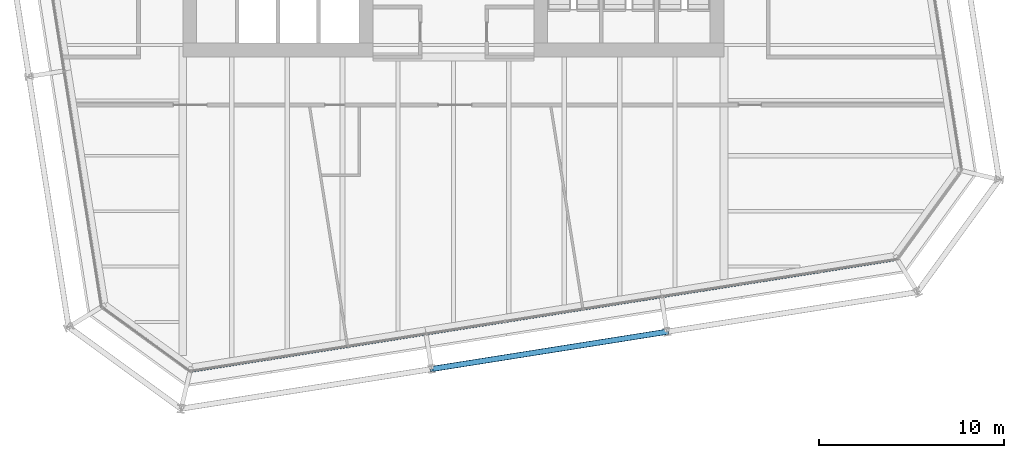
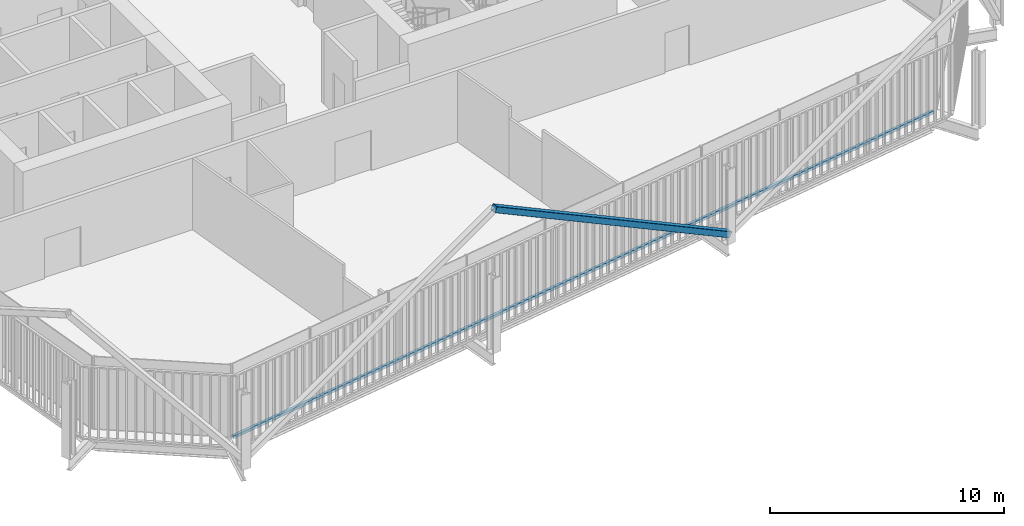
# One storey, part 7 of 22: 2 members, 1 element without a shape of its own.
"""IFC4 building model written with IfcOpenShell, lengths in metres."""

from ifc_helpers import new_model, si_unit, direction, frame, origin, origin_2d, place, context, subcontext, project, spatial, rectangle, hollow_rectangle, extrude, material, layer, layer_set, material_profile, profile_set, type_object, element, aggregate, save


model = new_model("IFC4")

# Units and contexts
model_context = context("Model", 3, precision=1e-05, world=origin(), true_north=direction((0.0, 1.0)))
body_context = subcontext(model_context, "Body", "Model", "MODEL_VIEW")
ifc_project = project(units=[si_unit("LENGTHUNIT", "METRE"), si_unit("AREAUNIT", "SQUARE_METRE"), si_unit("VOLUMEUNIT", "CUBIC_METRE"), si_unit("PLANEANGLEUNIT", "RADIAN"), si_unit("MASSUNIT", "GRAM", prefix="KILO")], contexts=[model_context])

# Site, building, storey
site_placement = place(None, origin())
site = spatial("IfcSite", under=ifc_project, at=site_placement, CompositionType="ELEMENT")
building_placement = place(site_placement, origin())
building = spatial("IfcBuilding", under=site, at=building_placement, Name="Millrace Tower", CompositionType="ELEMENT")
storey_placement = place(building_placement, frame((0.0, 0.0, 187.800048828125)))
storey = spatial("IfcBuildingStorey", under=building, at=storey_placement, Name="L42", CompositionType="ELEMENT", Elevation=187.800048828125)

# Curtain wall, member
ifc_material_1 = material(Name="Aluminium and glass", Category="aluminium")
ifc_layer = layer(ifc_material_1, 0.14990234375)
ifc_layer_set = layer_set([ifc_layer], Name="Aluminium and glass")
curtain_wall_type = type_object("IfcCurtainWallType", Name="CW-1 office vision curtain wall", PredefinedType="NOTDEFINED", material=ifc_layer_set)
curtain_wall_placement = place(storey_placement, origin())
curtain_wall = element("IfcCurtainWall", 1, at=curtain_wall_placement, inside=storey, type_object=curtain_wall_type, Name="Curtain wall C-F02 L42", PredefinedType="NOTDEFINED")
ifc_material_2 = material(Name="Aluminium", Category="aluminium")
ifc_material_profile_1 = material_profile(ifc_material_2, rectangle(XDim=0.14990234375, YDim=0.139892578125, at=origin_2d()))
ifc_profile_set_1 = profile_set([ifc_material_profile_1], Name="Aluminium")
member_type_1 = type_object("IfcMemberType", Name="CW-1 office vision curtain wall transom", PredefinedType="USERDEFINED", material=ifc_profile_set_1)
member_1_placement = place(storey_placement, frame((-14.125, -26.64599609375, 0.070068359375), z_axis=(0.987688350509, 0.156434402447, 0.0), x_axis=(-0.156434402447, 0.987688350509, 0.0)))
member_1 = element("IfcMember", 2, at=member_1_placement, type_object=member_type_1, Name="CW1 transom C-F02.1", ObjectType="TRANSOM", PredefinedType="USERDEFINED", context=body_context, shape_type="SweptSolid", body=[
    extrude(rectangle(XDim=0.14990234375, YDim=0.139892578125, at=origin_2d()), origin(), (0.0, 0.0, 1.0), 38.499755859375),
])
aggregate(curtain_wall, [member_1])

# Member
ifc_material_3 = material(Name="Steel ASTM A500 Grade C", Category="steel")
ifc_material_profile_2 = material_profile(ifc_material_3, hollow_rectangle(XDim=0.3046875, YDim=0.3046875, WallThickness=0.0126953125, InnerFilletRadius=0.00634765625, OuterFilletRadius=0.01904296875, at=origin_2d()))
ifc_profile_set_2 = profile_set([ifc_material_profile_2], Name="Steel ASTM A500 Grade C")
member_type_2 = type_object("IfcMemberType", Name="Exoskeleton brace HSS12x12x1/2", PredefinedType="BRACE", material=ifc_profile_set_2)
member_2_placement = place(storey_placement, frame((11.5595703125, -24.527099609375, 0.39990234375), z_axis=(-0.868109818913, -0.137501595477, 0.476947223022), x_axis=(0.156441687909, -0.987687196578, 0.0)))
element("IfcMember", 3, at=member_2_placement, inside=storey, type_object=member_type_2, Name="BRC-C-L42-03", PredefinedType="BRACE", context=body_context, shape_type="SweptSolid", body=[
    extrude(hollow_rectangle(XDim=0.3046875, YDim=0.3046875, WallThickness=0.0126953125, InnerFilletRadius=0.00634765625, OuterFilletRadius=0.01904296875, at=origin_2d()), origin(), (0.0, 0.0, 1.0), 14.6767578125),
])

save(model, "model.ifc")
